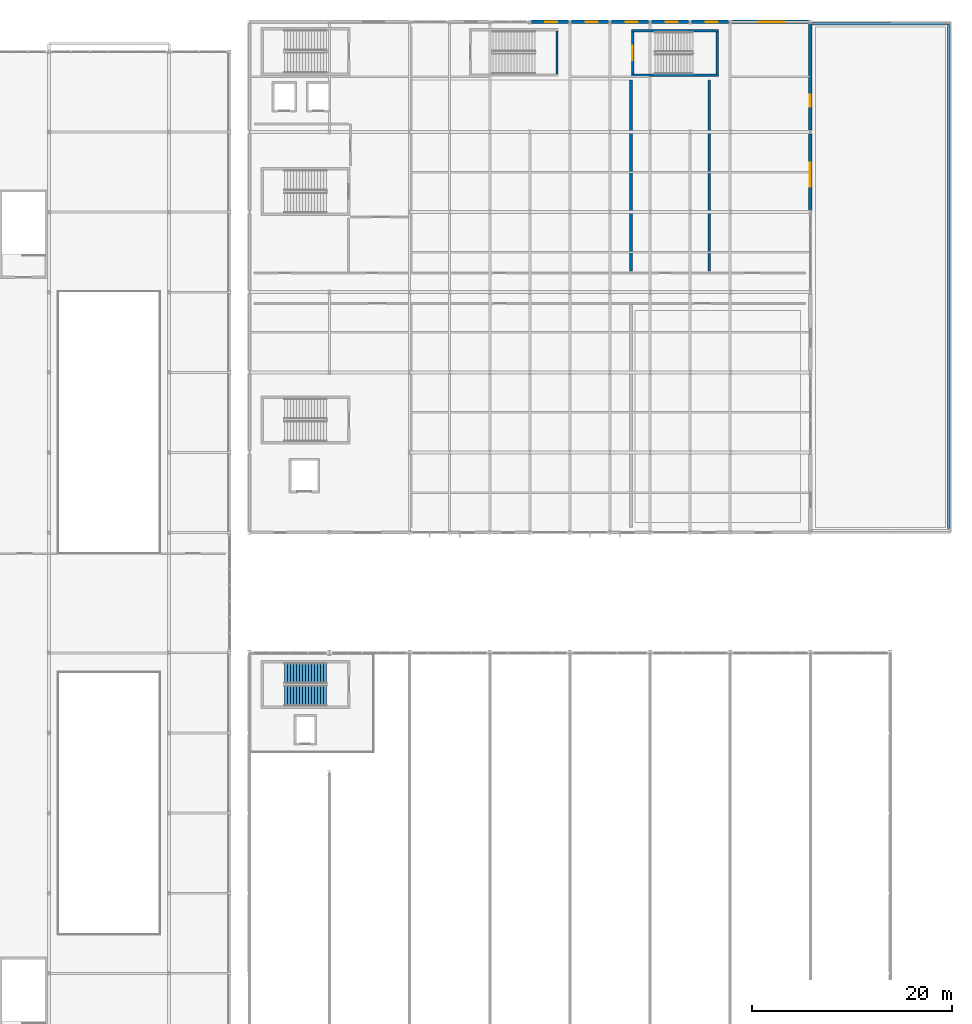
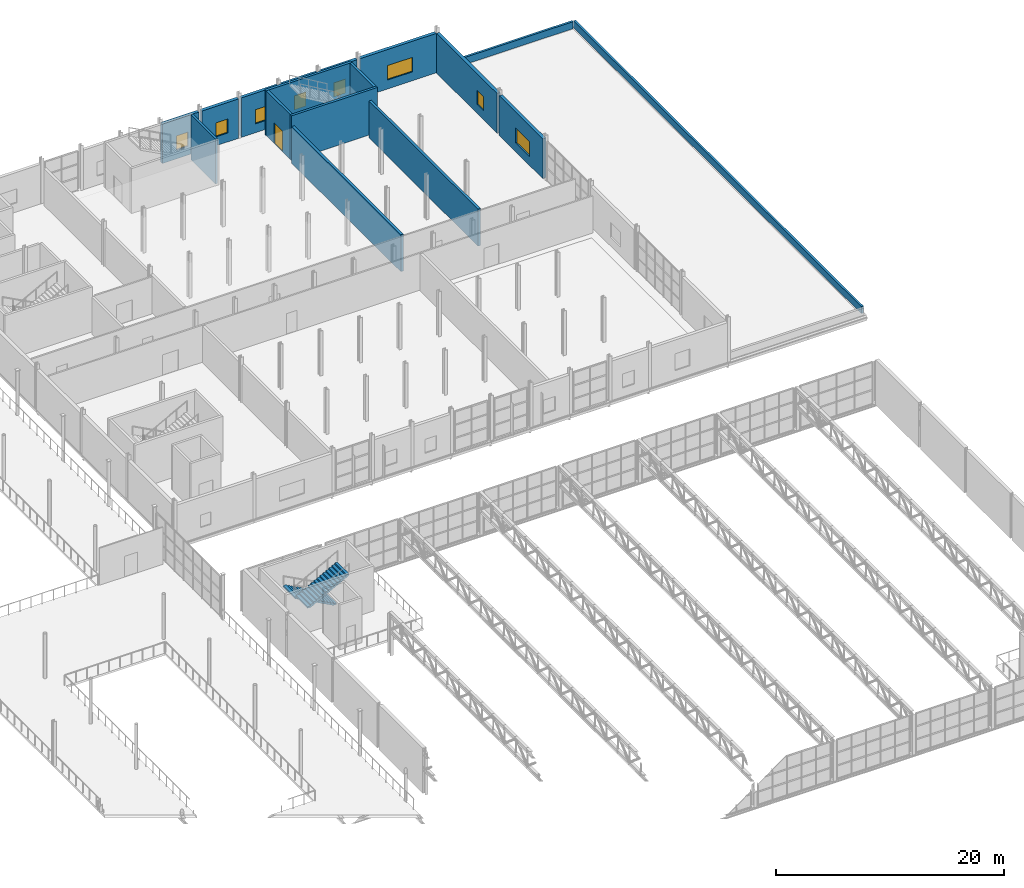
# One storey, part 128 of 143: 17 walls, 8 windows, 2 stair flights, 1 door, 9 openings, 1 element without a shape of its own.
"""IFC4 building model written with IfcOpenShell, lengths in metres."""

from ifc_helpers import new_model, si_unit, derived_unit, direction, frame, frame_2d, origin, place, context, subcontext, project, spatial, polyline, rectangle, outline, extrude, material, layer, layer_set, type_object, element, fill, aggregate, save


model = new_model("IFC4")

# Units and contexts
model_context = context("Model", 3, precision=1e-05, world=origin(), true_north=direction((0.0, 1.0)))
body_context = subcontext(model_context, "Body", "Model", "MODEL_VIEW")
ifc_project = project(units=[si_unit("LENGTHUNIT", "METRE"), si_unit("AREAUNIT", "SQUARE_METRE"), si_unit("VOLUMEUNIT", "CUBIC_METRE"), si_unit("PLANEANGLEUNIT", "RADIAN"), si_unit("MASSUNIT", "GRAM", prefix="KILO"), derived_unit("THERMALTRANSMITTANCEUNIT", [(si_unit("POWERUNIT", "WATT"), 1), (si_unit("LENGTHUNIT", "METRE"), -2), (si_unit("THERMODYNAMICTEMPERATUREUNIT", "KELVIN"), -1)])], contexts=[model_context])

# Site, building, storey
site_placement = place(None, origin())
site = spatial("IfcSite", under=ifc_project, at=site_placement, CompositionType="ELEMENT")
building_placement = place(site_placement, origin())
building = spatial("IfcBuilding", under=site, at=building_placement, Name="Keldorne Ridge Multi-Sports Centre", CompositionType="ELEMENT")
storey_placement = place(building_placement, frame((0.0, 0.0, 4.800048828125)))
storey = spatial("IfcBuildingStorey", under=building, at=storey_placement, Name="L01", CompositionType="ELEMENT", Elevation=4.800048828125)

# Walls
ifc_material_1 = material(Name="Moisture-resistant twin plumbing wall")
ifc_layer_1 = layer(ifc_material_1, 0.260009765625)
ifc_layer_set_1 = layer_set([ifc_layer_1])
wall_type_1 = type_object("IfcWallType", Name="WAL-PL-02", PredefinedType="PLUMBINGWALL", material=ifc_layer_set_1)
for number, where, z_axis, x_axis, name in (
    (1, (142.10009765625, 92.10009765625, 0.0), (0.0, 0.0, 1.0), (0.0, 1.0, 0.0), "First floor compartment wall IW-L01-051"),
    (2, (149.89990234375, 92.10009765625, 0.0), (0.0, 0.0, 1.0), (0.0, 1.0, 0.0), "First floor compartment wall IW-L01-052"),
):
    element("IfcWall", number, at=place(storey_placement, frame(where, z_axis=z_axis, x_axis=x_axis)), inside=storey, type_object=wall_type_1, Name=name, PredefinedType="PLUMBINGWALL", context=body_context, shape_type="SweptSolid", body=[
        extrude(rectangle(XDim=19.099853515625, YDim=0.260009765625, at=frame_2d((9.5498046875, 0.0))), origin(), (0.0, 0.0, 1.0), 3.949951171875),
    ])
ifc_material_2 = material(Name="Precast concrete C40/50", Category="concrete")
ifc_layer_2 = layer(ifc_material_2, 0.219970703125)
ifc_layer_set_2 = layer_set([ifc_layer_2], Name="Precast concrete C40/50")
wall_type_2 = type_object("IfcWallType", Name="WAL-PP-02", PredefinedType="PARAPET", material=ifc_layer_set_2)
wall_1_placement = place(storey_placement, frame((173.800048828125, 66.39990234375, 0.0), z_axis=(0.0, 0.0, 1.0), x_axis=(0.0, 1.0, 0.0)))
element("IfcWall", 3, at=wall_1_placement, inside=storey, type_object=wall_type_2, Name="Roof parapet upstand 06", PredefinedType="PARAPET", context=body_context, shape_type="SweptSolid", body=[
    extrude(rectangle(XDim=50.400146484375, YDim=0.219970703125, at=frame_2d((25.2001953125, 0.0))), origin(), (0.0, 0.0, 1.0), 0.75),
])
wall_2_placement = place(storey_placement, frame((173.60009765625, 116.800048828125, 0.0), z_axis=(0.0, 0.0, 1.0), x_axis=(-1.0, 0.0, 0.0)))
element("IfcWall", 4, at=wall_2_placement, inside=storey, type_object=wall_type_2, Name="Roof parapet upstand 07", PredefinedType="PARAPET", context=body_context, shape_type="SweptSolid", body=[
    extrude(rectangle(XDim=13.400146484375, YDim=0.219970703125, at=frame_2d((6.7001953125, 0.0))), origin(), (0.0, 0.0, 1.0), 0.75),
])

# Wall, opening, window
ifc_layer_3 = layer(ifc_material_2, 0.320068359375)
ifc_layer_set_3 = layer_set([ifc_layer_3], Name="Precast concrete C40/50")
wall_type_3 = type_object("IfcWallType", Name="WAL-PR-W1", PredefinedType="STANDARD", material=ifc_layer_set_3)
wall_3_placement = place(storey_placement, frame((135.847900390625, 117.0, 0.0), z_axis=(0.0, 0.0, 1.0), x_axis=(-1.0, 0.0, 0.0)))
wall_3 = element("IfcWall", 5, at=wall_3_placement, inside=storey, type_object=wall_type_3, Name="East Wing L01 north facade 6", PredefinedType="STANDARD", context=body_context, shape_type="SweptSolid", body=[
    extrude(rectangle(XDim=3.69580078125, YDim=0.320068359375, at=frame_2d((1.847900390625, 0.0))), origin(), (0.0, 0.0, 1.0), 4.21484375),
])
opening_1_placement = place(wall_3_placement, frame((1.087890625, 0.0, 0.949951171875)))
opening_1 = element("IfcOpeningElement", 6, at=opening_1_placement, cuts=wall_3, Name="Opening W-03", PredefinedType="OPENING", context=body_context, shape_type="SweptSolid", body=[
    extrude(rectangle(XDim=1.199951171875, YDim=1.5, at=frame_2d((0.60009765625, 0.75))), frame((0.0, 0.169921875, 0.0), z_axis=(0.0, -1.0, 0.0), x_axis=(1.0, 0.0, 0.0)), (0.0, 0.0, 1.0), 0.340087890625),
])
ifc_material_3 = material(Name="Anodized aluminium", Category="aluminium")
window_type_1 = type_object("IfcWindowType", Name="WIN-W-03", PartitioningType="SINGLE_PANEL", PredefinedType="WINDOW", material=ifc_material_3)
window_1_placement = place(opening_1_placement, origin())
window_1 = element("IfcWindow", 7, at=window_1_placement, inside=storey, type_object=window_type_1, Name="East Wing L01 north window W-063", OverallHeight=1.5, OverallWidth=1.199951171875, PartitioningType="SINGLE_PANEL", PredefinedType="WINDOW", context=body_context, shape_type="SweptSolid", body=[
    extrude(rectangle(XDim=1.199951171875, YDim=1.5, at=frame_2d((0.60009765625, 0.75))), frame((0.0, 0.030029296875, 0.0), z_axis=(0.0, -1.0, 0.0), x_axis=(1.0, 0.0, 0.0)), (0.0, 0.0, 1.0), 0.06005859375),
])
fill(opening_1, window_1)

wall_4_placement = place(storey_placement, frame((139.847900390625, 117.0, 0.0), z_axis=(0.0, 0.0, 1.0), x_axis=(-1.0, 0.0, 0.0)))
wall_4 = element("IfcWall", 8, at=wall_4_placement, inside=storey, type_object=wall_type_3, Name="East Wing L01 north facade 7", PredefinedType="STANDARD", context=body_context, shape_type="SweptSolid", body=[
    extrude(rectangle(XDim=3.69580078125, YDim=0.320068359375, at=frame_2d((1.847900390625, 0.0))), origin(), (0.0, 0.0, 1.0), 4.21484375),
])
opening_2_placement = place(wall_4_placement, frame((1.087890625, 0.0, 0.949951171875)))
opening_2 = element("IfcOpeningElement", 9, at=opening_2_placement, cuts=wall_4, Name="Opening W-03", PredefinedType="OPENING", context=body_context, shape_type="SweptSolid", body=[
    extrude(rectangle(XDim=1.199951171875, YDim=1.5, at=frame_2d((0.60009765625, 0.75))), frame((0.0, 0.169921875, 0.0), z_axis=(0.0, -1.0, 0.0), x_axis=(1.0, 0.0, 0.0)), (0.0, 0.0, 1.0), 0.340087890625),
])
window_2_placement = place(opening_2_placement, origin())
window_2 = element("IfcWindow", 10, at=window_2_placement, inside=storey, type_object=window_type_1, Name="East Wing L01 north window W-064", OverallHeight=1.5, OverallWidth=1.199951171875, PartitioningType="SINGLE_PANEL", PredefinedType="WINDOW", context=body_context, shape_type="SweptSolid", body=[
    extrude(rectangle(XDim=1.199951171875, YDim=1.5, at=frame_2d((0.60009765625, 0.75))), frame((0.0, 0.030029296875, 0.0), z_axis=(0.0, -1.0, 0.0), x_axis=(1.0, 0.0, 0.0)), (0.0, 0.0, 1.0), 0.06005859375),
])
fill(opening_2, window_2)

wall_5_placement = place(storey_placement, frame((143.847900390625, 117.0, 0.0), z_axis=(0.0, 0.0, 1.0), x_axis=(-1.0, 0.0, 0.0)))
wall_5 = element("IfcWall", 11, at=wall_5_placement, inside=storey, type_object=wall_type_3, Name="East Wing L01 north facade 8", PredefinedType="STANDARD", context=body_context, shape_type="SweptSolid", body=[
    extrude(rectangle(XDim=3.69580078125, YDim=0.320068359375, at=frame_2d((1.847900390625, 0.0))), origin(), (0.0, 0.0, 1.0), 4.21484375),
])
opening_3_placement = place(wall_5_placement, frame((1.087890625, 0.0, 0.949951171875)))
opening_3 = element("IfcOpeningElement", 12, at=opening_3_placement, cuts=wall_5, Name="Opening W-03", PredefinedType="OPENING", context=body_context, shape_type="SweptSolid", body=[
    extrude(rectangle(XDim=1.199951171875, YDim=1.5, at=frame_2d((0.60009765625, 0.75))), frame((0.0, 0.169921875, 0.0), z_axis=(0.0, -1.0, 0.0), x_axis=(1.0, 0.0, 0.0)), (0.0, 0.0, 1.0), 0.340087890625),
])
window_3_placement = place(opening_3_placement, origin())
window_3 = element("IfcWindow", 13, at=window_3_placement, inside=storey, type_object=window_type_1, Name="East Wing L01 north window W-065", OverallHeight=1.5, OverallWidth=1.199951171875, PartitioningType="SINGLE_PANEL", PredefinedType="WINDOW", context=body_context, shape_type="SweptSolid", body=[
    extrude(rectangle(XDim=1.199951171875, YDim=1.5, at=frame_2d((0.60009765625, 0.75))), frame((0.0, 0.030029296875, 0.0), z_axis=(0.0, -1.0, 0.0), x_axis=(1.0, 0.0, 0.0)), (0.0, 0.0, 1.0), 0.06005859375),
])
fill(opening_3, window_3)

wall_6_placement = place(storey_placement, frame((147.847900390625, 117.0, 0.0), z_axis=(0.0, 0.0, 1.0), x_axis=(-1.0, 0.0, 0.0)))
wall_6 = element("IfcWall", 14, at=wall_6_placement, inside=storey, type_object=wall_type_3, Name="East Wing L01 north facade 9", PredefinedType="STANDARD", context=body_context, shape_type="SweptSolid", body=[
    extrude(rectangle(XDim=3.69580078125, YDim=0.320068359375, at=frame_2d((1.847900390625, 0.0))), origin(), (0.0, 0.0, 1.0), 4.21484375),
])
opening_4_placement = place(wall_6_placement, frame((1.087890625, 0.0, 0.949951171875)))
opening_4 = element("IfcOpeningElement", 15, at=opening_4_placement, cuts=wall_6, Name="Opening W-03", PredefinedType="OPENING", context=body_context, shape_type="SweptSolid", body=[
    extrude(rectangle(XDim=1.199951171875, YDim=1.5, at=frame_2d((0.60009765625, 0.75))), frame((0.0, 0.169921875, 0.0), z_axis=(0.0, -1.0, 0.0), x_axis=(1.0, 0.0, 0.0)), (0.0, 0.0, 1.0), 0.340087890625),
])
window_4_placement = place(opening_4_placement, origin())
window_4 = element("IfcWindow", 16, at=window_4_placement, inside=storey, type_object=window_type_1, Name="East Wing L01 north window W-066", OverallHeight=1.5, OverallWidth=1.199951171875, PartitioningType="SINGLE_PANEL", PredefinedType="WINDOW", context=body_context, shape_type="SweptSolid", body=[
    extrude(rectangle(XDim=1.199951171875, YDim=1.5, at=frame_2d((0.60009765625, 0.75))), frame((0.0, 0.030029296875, 0.0), z_axis=(0.0, -1.0, 0.0), x_axis=(1.0, 0.0, 0.0)), (0.0, 0.0, 1.0), 0.06005859375),
])
fill(opening_4, window_4)

wall_7_placement = place(storey_placement, frame((151.847900390625, 117.0, 0.0), z_axis=(0.0, 0.0, 1.0), x_axis=(-1.0, 0.0, 0.0)))
wall_7 = element("IfcWall", 17, at=wall_7_placement, inside=storey, type_object=wall_type_3, Name="East Wing L01 north facade 10", PredefinedType="STANDARD", context=body_context, shape_type="SweptSolid", body=[
    extrude(rectangle(XDim=3.69580078125, YDim=0.320068359375, at=frame_2d((1.847900390625, 0.0))), origin(), (0.0, 0.0, 1.0), 4.21484375),
])
opening_5_placement = place(wall_7_placement, frame((1.087890625, 0.0, 0.949951171875)))
opening_5 = element("IfcOpeningElement", 18, at=opening_5_placement, cuts=wall_7, Name="Opening W-03", PredefinedType="OPENING", context=body_context, shape_type="SweptSolid", body=[
    extrude(rectangle(XDim=1.199951171875, YDim=1.5, at=frame_2d((0.60009765625, 0.75))), frame((0.0, 0.169921875, 0.0), z_axis=(0.0, -1.0, 0.0), x_axis=(1.0, 0.0, 0.0)), (0.0, 0.0, 1.0), 0.340087890625),
])
window_5_placement = place(opening_5_placement, origin())
window_5 = element("IfcWindow", 19, at=window_5_placement, inside=storey, type_object=window_type_1, Name="East Wing L01 north window W-067", OverallHeight=1.5, OverallWidth=1.199951171875, PartitioningType="SINGLE_PANEL", PredefinedType="WINDOW", context=body_context, shape_type="SweptSolid", body=[
    extrude(rectangle(XDim=1.199951171875, YDim=1.5, at=frame_2d((0.60009765625, 0.75))), frame((0.0, 0.030029296875, 0.0), z_axis=(0.0, -1.0, 0.0), x_axis=(1.0, 0.0, 0.0)), (0.0, 0.0, 1.0), 0.06005859375),
])
fill(opening_5, window_5)

wall_8_placement = place(storey_placement, frame((159.847900390625, 117.0, 0.0), z_axis=(0.0, 0.0, 1.0), x_axis=(-1.0, 0.0, 0.0)))
wall_8 = element("IfcWall", 20, at=wall_8_placement, inside=storey, type_object=wall_type_3, Name="East Wing L01 north facade 11", PredefinedType="STANDARD", context=body_context, shape_type="SweptSolid", body=[
    extrude(rectangle(XDim=7.69580078125, YDim=0.320068359375, at=frame_2d((3.847900390625, 0.0))), origin(), (0.0, 0.0, 1.0), 4.21484375),
])
opening_6_placement = place(wall_8_placement, frame((2.387939453125, 0.0, 0.949951171875)))
opening_6 = element("IfcOpeningElement", 21, at=opening_6_placement, cuts=wall_8, Name="Opening W-15", PredefinedType="OPENING", context=body_context, shape_type="SweptSolid", body=[
    extrude(rectangle(XDim=2.550048828125, YDim=1.550048828125, at=frame_2d((1.27490234375, 0.77490234375))), frame((0.0, 0.169921875, 0.0), z_axis=(0.0, -1.0, 0.0), x_axis=(1.0, 0.0, 0.0)), (0.0, 0.0, 1.0), 0.340087890625),
])
window_type_2 = type_object("IfcWindowType", Name="WIN-W-15", PartitioningType="DOUBLE_PANEL_VERTICAL", PredefinedType="WINDOW", material=ifc_material_3)
window_6_placement = place(opening_6_placement, origin())
window_6 = element("IfcWindow", 22, at=window_6_placement, inside=storey, type_object=window_type_2, Name="East Wing L01 north window W-068", OverallHeight=1.550048828125, OverallWidth=2.550048828125, PartitioningType="SINGLE_PANEL", PredefinedType="WINDOW", context=body_context, shape_type="SweptSolid", body=[
    extrude(rectangle(XDim=2.550048828125, YDim=1.550048828125, at=frame_2d((1.27490234375, 0.77490234375))), frame((0.0, 0.030029296875, 0.0), z_axis=(0.0, -1.0, 0.0), x_axis=(1.0, 0.0, 0.0)), (0.0, 0.0, 1.0), 0.06005859375),
])
fill(opening_6, window_6)

wall_9_placement = place(storey_placement, frame((160.0, 98.181884765625, 0.0), z_axis=(0.0, 0.0, 1.0), x_axis=(0.0, 1.0, 0.0)))
wall_9 = element("IfcWall", 23, at=wall_9_placement, inside=storey, type_object=wall_type_3, Name="East Wing L01 east facade 5", PredefinedType="STANDARD", context=body_context, shape_type="SweptSolid", body=[
    extrude(rectangle(XDim=7.63623046875, YDim=0.320068359375, at=frame_2d((3.818115234375, 0.0))), origin(), (0.0, 0.0, 1.0), 4.25),
])
opening_7_placement = place(wall_9_placement, frame((2.35791015625, 0.0, 0.949951171875)))
opening_7 = element("IfcOpeningElement", 24, at=opening_7_placement, cuts=wall_9, Name="Opening W-02", PredefinedType="OPENING", context=body_context, shape_type="SweptSolid", body=[
    extrude(rectangle(XDim=2.39990234375, YDim=1.60009765625, at=frame_2d((1.199951171875, 0.800048828125))), frame((0.0, 0.169921875, 0.0), z_axis=(0.0, -1.0, 0.0), x_axis=(1.0, 0.0, 0.0)), (0.0, 0.0, 1.0), 0.340087890625),
])
window_type_3 = type_object("IfcWindowType", Name="WIN-W-02", PartitioningType="DOUBLE_PANEL_VERTICAL", PredefinedType="WINDOW", material=ifc_material_3)
window_7_placement = place(opening_7_placement, origin())
window_7 = element("IfcWindow", 25, at=window_7_placement, inside=storey, type_object=window_type_3, Name="East Wing L01 east window W-071", OverallHeight=1.60009765625, OverallWidth=2.39990234375, PartitioningType="SINGLE_PANEL", PredefinedType="WINDOW", context=body_context, shape_type="SweptSolid", body=[
    extrude(rectangle(XDim=2.39990234375, YDim=1.60009765625, at=frame_2d((1.199951171875, 0.800048828125))), frame((0.0, 0.030029296875, 0.0), z_axis=(0.0, -1.0, 0.0), x_axis=(1.0, 0.0, 0.0)), (0.0, 0.0, 1.0), 0.06005859375),
])
fill(opening_7, window_7)

wall_10_placement = place(storey_placement, frame((160.0, 106.181884765625, 0.0), z_axis=(0.0, 0.0, 1.0), x_axis=(0.0, 1.0, 0.0)))
wall_10 = element("IfcWall", 26, at=wall_10_placement, inside=storey, type_object=wall_type_3, Name="East Wing L01 east facade 6", PredefinedType="STANDARD", context=body_context, shape_type="SweptSolid", body=[
    extrude(rectangle(XDim=10.63623046875, YDim=0.320068359375, at=frame_2d((5.318115234375, 0.0))), origin(), (0.0, 0.0, 1.0), 4.25),
])
opening_8_placement = place(wall_10_placement, frame((2.35791015625, 0.0, 0.949951171875)))
opening_8 = element("IfcOpeningElement", 27, at=opening_8_placement, cuts=wall_10, Name="Opening W-03", PredefinedType="OPENING", context=body_context, shape_type="SweptSolid", body=[
    extrude(rectangle(XDim=1.199951171875, YDim=1.5, at=frame_2d((0.60009765625, 0.75))), frame((0.0, 0.169921875, 0.0), z_axis=(0.0, -1.0, 0.0), x_axis=(1.0, 0.0, 0.0)), (0.0, 0.0, 1.0), 0.340087890625),
])
window_8_placement = place(opening_8_placement, origin())
window_8 = element("IfcWindow", 28, at=window_8_placement, inside=storey, type_object=window_type_1, Name="East Wing L01 east window W-072", OverallHeight=1.5, OverallWidth=1.199951171875, PartitioningType="SINGLE_PANEL", PredefinedType="WINDOW", context=body_context, shape_type="SweptSolid", body=[
    extrude(rectangle(XDim=1.199951171875, YDim=1.5, at=frame_2d((0.60009765625, 0.75))), frame((0.0, 0.030029296875, 0.0), z_axis=(0.0, -1.0, 0.0), x_axis=(1.0, 0.0, 0.0)), (0.0, 0.0, 1.0), 0.06005859375),
])
fill(opening_8, window_8)

# Wall, opening, door
ifc_material_4 = material(Name="Concrete C40/50", Category="concrete")
ifc_layer_4 = layer(ifc_material_4, 0.25)
ifc_layer_set_4 = layer_set([ifc_layer_4], Name="Concrete C40/50")
wall_type_4 = type_object("IfcWallType", Name="WAL-SW01", PredefinedType="SHEAR", material=ifc_layer_set_4)
wall_11_placement = place(storey_placement, frame((142.27490234375, 111.800048828125, 0.0), z_axis=(0.0, 0.0, 1.0), x_axis=(0.0, 1.0, 0.0)))
wall_11 = element("IfcWall", 29, at=wall_11_placement, inside=storey, type_object=wall_type_4, Name="Stair ST-03 shaft wall L01 NEAR", PredefinedType="SHEAR", context=body_context, shape_type="SweptSolid", body=[
    extrude(rectangle(XDim=4.179931640625, YDim=0.25, at=frame_2d((2.08984375, 0.0))), origin(), (0.0, 0.0, 1.0), 4.800048828125),
])
opening_9_placement = place(wall_11_placement, frame((1.364990234375, 0.0, 0.0)))
opening_9 = element("IfcOpeningElement", 30, at=opening_9_placement, cuts=wall_11, Name="Opening D-05", PredefinedType="OPENING", context=body_context, shape_type="SweptSolid", body=[
    extrude(rectangle(XDim=1.449951171875, YDim=2.199951171875, at=frame_2d((0.72509765625, 1.10009765625))), frame((0.0, 0.135009765625, 0.0), z_axis=(0.0, -1.0, 0.0), x_axis=(1.0, 0.0, 0.0)), (0.0, 0.0, 1.0), 0.27001953125),
])
ifc_material_5 = material(Name="Steel fire-resisting pair", Category="steel")
door_type = type_object("IfcDoorType", Name="DR-D-05", OperationType="NOTDEFINED", PredefinedType="DOOR", material=ifc_material_5)
door_placement = place(opening_9_placement, origin())
door = element("IfcDoor", 31, at=door_placement, inside=storey, type_object=door_type, Name="Stair ST-03 L01 fire door D-016", OperationType="DOUBLE_DOOR_SINGLE_SWING", OverallHeight=2.199951171875, OverallWidth=1.449951171875, PredefinedType="DOOR", context=body_context, shape_type="SweptSolid", body=[
    extrude(rectangle(XDim=1.449951171875, YDim=2.199951171875, at=frame_2d((0.72509765625, 1.10009765625))), frame((0.0, 0.02490234375, 0.0), z_axis=(0.0, -1.0, 0.0), x_axis=(1.0, 0.0, 0.0)), (0.0, 0.0, 1.0), 0.050048828125),
])
fill(opening_9, door)

# Walls
wall_12_placement = place(storey_placement, frame((150.72509765625, 115.97998046875, 0.0), z_axis=(0.0, 0.0, 1.0), x_axis=(0.0, -1.0, 0.0)))
element("IfcWall", 32, at=wall_12_placement, inside=storey, type_object=wall_type_4, Name="Stair ST-03 shaft wall L01 FAR", PredefinedType="SHEAR", context=body_context, shape_type="SweptSolid", body=[
    extrude(rectangle(XDim=4.179931640625, YDim=0.25, at=frame_2d((2.08984375, 0.0))), origin(), (0.0, 0.0, 1.0), 4.800048828125),
])
for number, where, z_axis, x_axis, name in (
    (33, (142.14990234375, 111.675048828125, 0.0), (0.0, 0.0, 1.0), (1.0, 0.0, 0.0), "Stair ST-03 shaft wall L01 SOUTH"),
    (34, (150.85009765625, 116.10498046875, 0.0), (0.0, 0.0, 1.0), (-1.0, 0.0, 0.0), "Stair ST-03 shaft wall L01 NORTH"),
):
    element("IfcWall", number, at=place(storey_placement, frame(where, z_axis=z_axis, x_axis=x_axis)), inside=storey, type_object=wall_type_4, Name=name, PredefinedType="SHEAR", context=body_context, shape_type="SweptSolid", body=[
        extrude(rectangle(XDim=8.7001953125, YDim=0.25, at=frame_2d((4.35009765625, 0.0))), origin(), (0.0, 0.0, 1.0), 4.800048828125),
    ])
ifc_layer_5 = layer(ifc_material_4, 0.22998046875)
ifc_layer_set_5 = layer_set([ifc_layer_5], Name="Concrete C40/50")
wall_type_5 = type_object("IfcWallType", Name="WAL-SW02", PredefinedType="SHEAR", material=ifc_layer_set_5)
wall_13_placement = place(storey_placement, frame((134.715087890625, 116.10009765625, 0.0), z_axis=(0.0, 0.0, 1.0), x_axis=(0.0, -1.0, 0.0)))
element("IfcWall", 35, at=wall_13_placement, inside=storey, type_object=wall_type_5, Name="Stair ST-10 shaft wall L01 FAR", PredefinedType="SHEAR", context=body_context, shape_type="SweptSolid", body=[
    extrude(rectangle(XDim=4.300048828125, YDim=0.22998046875, at=frame_2d((2.14990234375, 0.0))), origin(), (0.0, 0.0, 1.0), 4.800048828125),
])

# Stair, stair flights
ifc_material_6 = material(Name="Concrete C35/45", Category="concrete")
stair_type = type_object("IfcStairType", Name="STR-S01", PredefinedType="HALF_TURN_STAIR", material=ifc_material_6)
stair_placement = place(storey_placement, origin())
stair = element("IfcStair", 36, at=stair_placement, inside=storey, type_object=stair_type, Name="L01 Stacked Courts Core C4", PredefinedType="HALF_TURN_STAIR")
stair_flight_type = type_object("IfcStairFlightType", Name="STF-F01", PredefinedType="STRAIGHT", material=ifc_material_6)
stair_flight_1_placement = place(storey_placement, frame((111.699951171875, 51.969970703125, 0.0), z_axis=(0.0, 0.0, 1.0), x_axis=(-1.0, 0.0, 0.0)))
stair_flight_1 = element("IfcStairFlight", 37, at=stair_flight_1_placement, type_object=stair_flight_type, Name="ST-04 flight 1", NumberOfRisers=15, NumberOfTreads=14, PredefinedType="STRAIGHT", RiserHeight=0.16, TreadLength=0.3, context=body_context, shape_type="SweptSolid", body=[
    extrude(outline(polyline([(0.0, 0.0), (0.0, 0.159912109375), (0.300048828125, 0.159912109375), (0.300048828125, 0.320068359375), (0.60009765625, 0.320068359375), (0.60009765625, 0.47998046875), (0.89990234375, 0.47998046875), (0.89990234375, 0.639892578125), (1.199951171875, 0.639892578125), (1.199951171875, 0.800048828125), (1.5, 0.800048828125), (1.5, 0.9599609375), (1.800048828125, 0.9599609375), (1.800048828125, 1.1201171875), (2.10009765625, 1.1201171875), (2.10009765625, 1.280029296875), (2.39990234375, 1.280029296875), (2.39990234375, 1.43994140625), (2.699951171875, 1.43994140625), (2.699951171875, 1.60009765625), (3.0, 1.60009765625), (3.0, 1.760009765625), (3.300048828125, 1.760009765625), (3.300048828125, 1.919921875), (3.60009765625, 1.919921875), (3.60009765625, 2.080078125), (3.89990234375, 2.080078125), (3.89990234375, 2.239990234375), (4.199951171875, 2.239990234375), (4.199951171875, 2.39990234375), (4.199951171875, 2.070068359375), (0.318603515625, 0.0), (0.0, 0.0)])), frame((0.0, 1.030029296875, 0.0), z_axis=(0.0, -1.0, 0.0), x_axis=(1.0, 0.0, 0.0)), (0.0, 0.0, 1.0), 2.06005859375),
])
stair_flight_2_placement = place(storey_placement, frame((107.5, 49.72998046875, 2.39990234375), z_axis=(0.0, 0.0, 1.0), x_axis=(1.0, 0.0, 0.0)))
stair_flight_2 = element("IfcStairFlight", 38, at=stair_flight_2_placement, type_object=stair_flight_type, Name="ST-04 flight 2", NumberOfRisers=15, NumberOfTreads=14, PredefinedType="STRAIGHT", RiserHeight=0.16, TreadLength=0.3, context=body_context, shape_type="SweptSolid", body=[
    extrude(outline(polyline([(0.0, 0.0), (0.0, 0.159912109375), (0.300048828125, 0.159912109375), (0.300048828125, 0.320068359375), (0.60009765625, 0.320068359375), (0.60009765625, 0.47998046875), (0.89990234375, 0.47998046875), (0.89990234375, 0.639892578125), (1.199951171875, 0.639892578125), (1.199951171875, 0.800048828125), (1.5, 0.800048828125), (1.5, 0.9599609375), (1.800048828125, 0.9599609375), (1.800048828125, 1.1201171875), (2.10009765625, 1.1201171875), (2.10009765625, 1.280029296875), (2.39990234375, 1.280029296875), (2.39990234375, 1.43994140625), (2.699951171875, 1.43994140625), (2.699951171875, 1.60009765625), (3.0, 1.60009765625), (3.0, 1.760009765625), (3.300048828125, 1.760009765625), (3.300048828125, 1.919921875), (3.60009765625, 1.919921875), (3.60009765625, 2.080078125), (3.89990234375, 2.080078125), (3.89990234375, 2.239990234375), (4.199951171875, 2.239990234375), (4.199951171875, 2.39990234375), (4.199951171875, 2.070068359375), (0.318603515625, 0.0), (0.0, 0.0)])), frame((0.0, 1.030029296875, 0.0), z_axis=(0.0, -1.0, 0.0), x_axis=(1.0, 0.0, 0.0)), (0.0, 0.0, 1.0), 2.06005859375),
])
aggregate(stair, [stair_flight_1, stair_flight_2])

save(model, "model.ifc")
